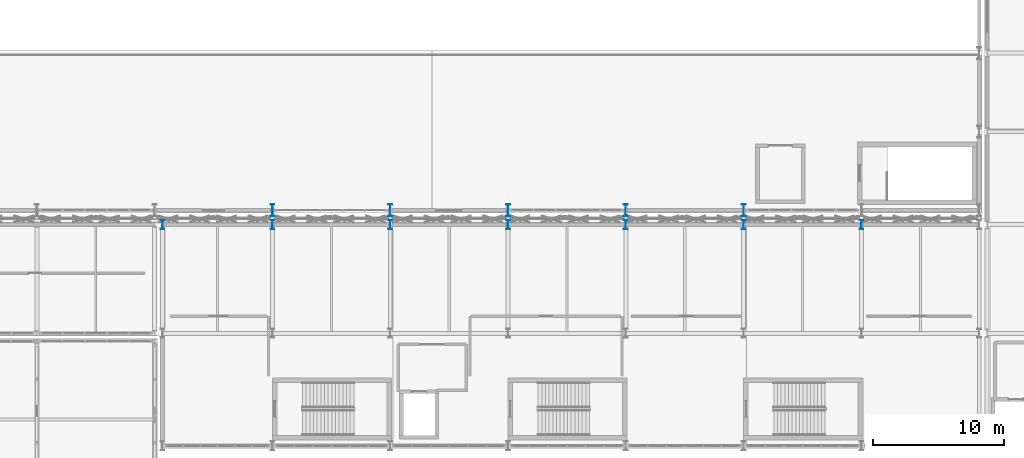
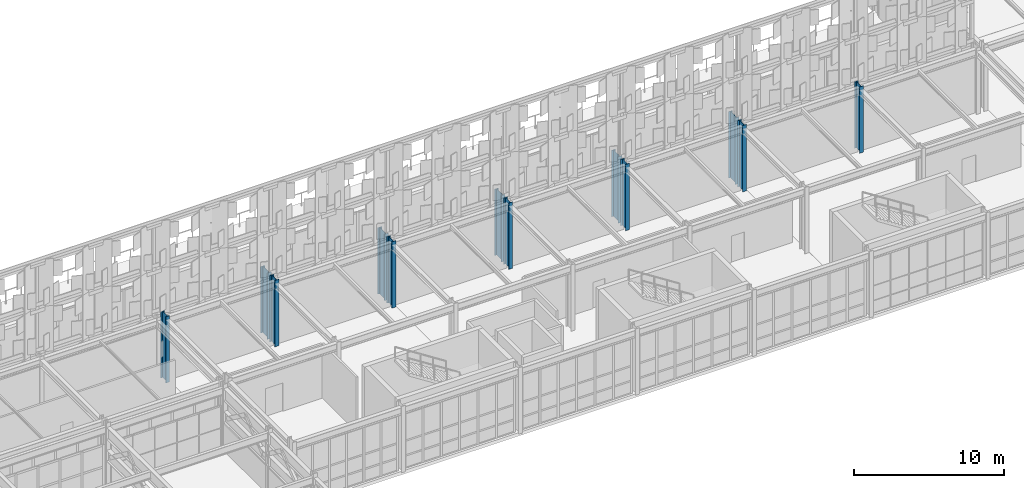
# One storey, part 6 of 210: 12 columns.
"""IFC4 building model written with IfcOpenShell, lengths in metres."""

from ifc_helpers import new_model, si_unit, direction, frame, origin, origin_2d, place, context, subcontext, project, spatial, i_section, extrude, material, material_profile, profile_set, type_object, element, save


model = new_model("IFC4")

# Units and contexts
model_context = context("Model", 3, precision=1e-05, world=origin(), true_north=direction((0.0, 1.0)))
body_context = subcontext(model_context, "Body", "Model", "MODEL_VIEW")
ifc_project = project(units=[si_unit("LENGTHUNIT", "METRE"), si_unit("AREAUNIT", "SQUARE_METRE"), si_unit("VOLUMEUNIT", "CUBIC_METRE"), si_unit("PLANEANGLEUNIT", "RADIAN"), si_unit("MASSUNIT", "GRAM", prefix="KILO")], contexts=[model_context])

# Site, building, storey
site_placement = place(None, origin())
site = spatial("IfcSite", under=ifc_project, at=site_placement, CompositionType="ELEMENT")
building_placement = place(site_placement, origin())
building = spatial("IfcBuilding", under=site, at=building_placement, Name="Kaldris Quays Convention Centre", CompositionType="ELEMENT")
storey_placement = place(building_placement, frame((0.0, 0.0, 6.0)))
storey = spatial("IfcBuildingStorey", under=building, at=storey_placement, Name="L01", CompositionType="ELEMENT", Elevation=6.0)

# Columns
ifc_material = material(Name="Steel S355J2", Category="steel")
ifc_material_profile_1 = material_profile(ifc_material, i_section(OverallWidth=0.300048828125, OverallDepth=0.89990234375, WebThickness=0.0185546875, FlangeThickness=0.034912109375, FilletRadius=0.030029296875, at=origin_2d()), Name="HEB 900")
ifc_profile_set_1 = profile_set([ifc_material_profile_1], Name="Steel S355J2")
column_type_1 = type_object("IfcColumnType", Name="STRUCTURAL COLUMN CL03", PredefinedType="COLUMN", material=ifc_profile_set_1)
for number, where, z_axis, x_axis, name in (
    (1, (92.0, 56.0, 0.0), (0.0, 0.0, 1.0), (1.0, 0.0, 0.0), "L01 V1 Column CL03 (92.00, 56.00)"),
    (2, (101.0, 56.0, 0.0), (0.0, 0.0, 1.0), (1.0, 0.0, 0.0), "L01 V1 Column CL03 (101.00, 56.00)"),
    (3, (110.0, 56.0, 0.0), (0.0, 0.0, 1.0), (1.0, 0.0, 0.0), "L01 V1 Column CL03 (110.00, 56.00)"),
    (4, (119.0, 56.0, 0.0), (0.0, 0.0, 1.0), (1.0, 0.0, 0.0), "L01 V1 Column CL03 (119.00, 56.00)"),
    (5, (128.0, 56.0, 0.0), (0.0, 0.0, 1.0), (1.0, 0.0, 0.0), "L01 V1 Column CL03 (128.00, 56.00)"),
):
    element("IfcColumn", number, at=place(storey_placement, frame(where, z_axis=z_axis, x_axis=x_axis)), inside=storey, type_object=column_type_1, Name=name, PredefinedType="COLUMN", context=body_context, shape_type="SweptSolid", body=[
        extrude(i_section(OverallWidth=0.300048828125, OverallDepth=0.89990234375, WebThickness=0.0185546875, FlangeThickness=0.034912109375, FilletRadius=0.030029296875, at=origin_2d()), origin(), (0.0, 0.0, 1.0), 5.39990234375),
    ])
ifc_material_profile_2 = material_profile(ifc_material, i_section(OverallWidth=0.300048828125, OverallDepth=0.699951171875, WebThickness=0.01708984375, FlangeThickness=0.031982421875, FilletRadius=0.027099609375, at=origin_2d()), Name="HEB 700")
ifc_profile_set_2 = profile_set([ifc_material_profile_2], Name="Steel S355J2")
column_type_2 = type_object("IfcColumnType", Name="STRUCTURAL COLUMN CL05", PredefinedType="COLUMN", material=ifc_profile_set_2)
for number, where, z_axis, x_axis, name in (
    (6, (83.60009765625, 54.89990234375, 0.0), (0.0, 0.0, 1.0), (1.0, 0.0, 0.0), "L01 V4 Column CL05 (83.60, 54.90)"),
    (7, (92.0, 54.89990234375, 0.0), (0.0, 0.0, 1.0), (1.0, 0.0, 0.0), "L01 V4 Column CL05 (92.00, 54.90)"),
    (8, (101.0, 54.89990234375, 0.0), (0.0, 0.0, 1.0), (1.0, 0.0, 0.0), "L01 V4 Column CL05 (101.00, 54.90)"),
    (9, (110.0, 54.89990234375, 0.0), (0.0, 0.0, 1.0), (1.0, 0.0, 0.0), "L01 V4 Column CL05 (110.00, 54.90)"),
    (10, (119.0, 54.89990234375, 0.0), (0.0, 0.0, 1.0), (1.0, 0.0, 0.0), "L01 V4 Column CL05 (119.00, 54.90)"),
    (11, (128.0, 54.89990234375, 0.0), (0.0, 0.0, 1.0), (1.0, 0.0, 0.0), "L01 V4 Column CL05 (128.00, 54.90)"),
    (12, (137.0, 54.89990234375, 0.0), (0.0, 0.0, 1.0), (1.0, 0.0, 0.0), "L01 V4 Column CL05 (137.00, 54.90)"),
):
    element("IfcColumn", number, at=place(storey_placement, frame(where, z_axis=z_axis, x_axis=x_axis)), inside=storey, type_object=column_type_2, Name=name, PredefinedType="COLUMN", context=body_context, shape_type="SweptSolid", body=[
        extrude(i_section(OverallWidth=0.300048828125, OverallDepth=0.699951171875, WebThickness=0.01708984375, FlangeThickness=0.031982421875, FilletRadius=0.027099609375, at=origin_2d()), origin(), (0.0, 0.0, 1.0), 5.39990234375),
    ])

save(model, "model.ifc")
